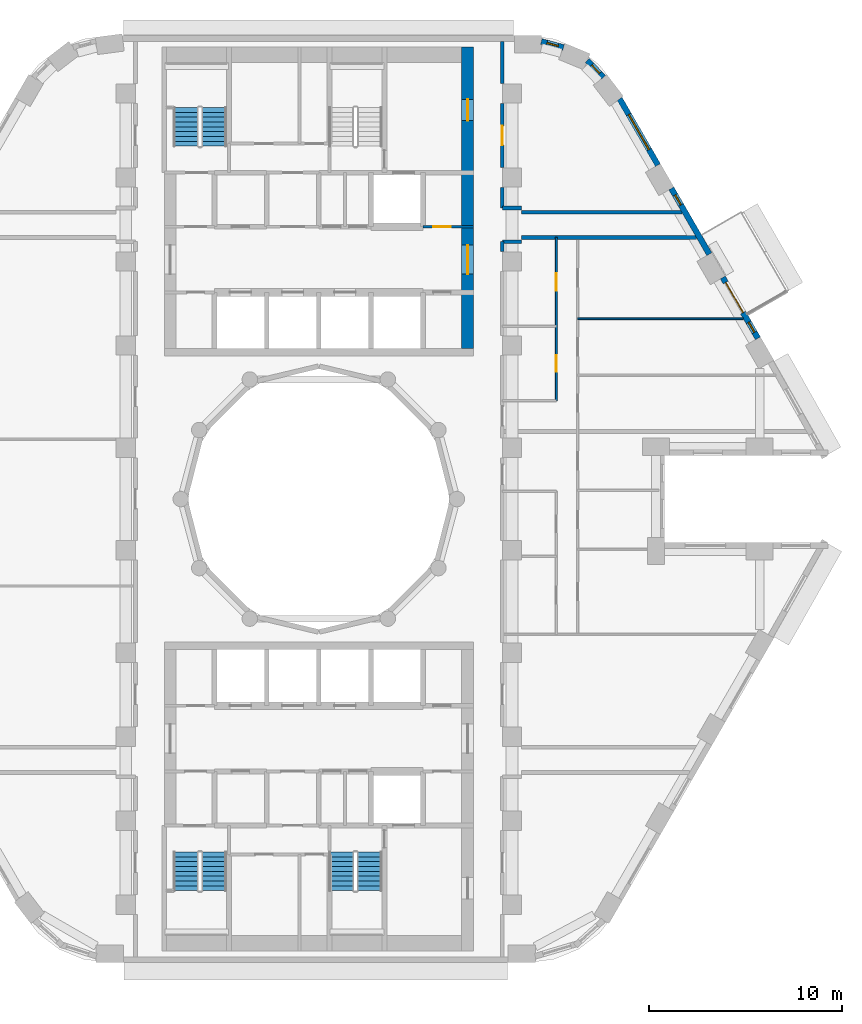
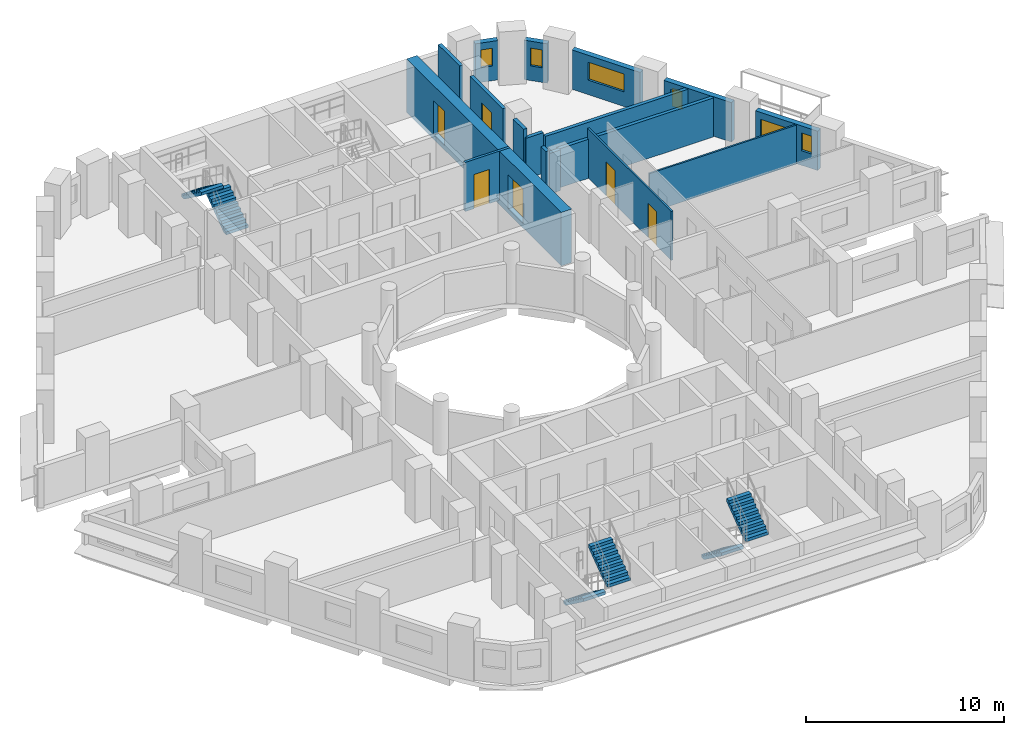
# One storey, part 8 of 13: 17 walls, 7 doors, 6 stair flights, 5 windows, 12 openings, 3 elements without a shape of their own.
"""IFC4 building model written with IfcOpenShell, lengths in metres."""

import ifcopenshell
import ifcopenshell.guid

model = None  # the IFC model being written
_history = None  # IfcOwnerHistory: only IFC2X3 demands one
_inside = {}  # id of a spatial element -> (the spatial element, [elements in it])
_under = {}  # id of a project, library or spatial element -> (it, [spatial elements below it])
_declared = {}  # id of a project -> (the project, [libraries it declares])
_typed = {}  # id of a type object -> (the type object, [elements of that type])
_made_of = {}  # id of a material, layer set ... -> (it, [elements and type objects made of it])


def new_model(schema):
    """Start an empty IFC model of exactly this schema.

    Asked for "IFC4X3", IfcOpenShell would pick the latest addendum, in which some entities
    have other attributes; the version numbers below select the first issue.
    IFC2X3 requires an IfcOwnerHistory on every rooted entity: one is made here for all.
    """
    global model, _history
    if schema == "IFC4X3":
        model = ifcopenshell.file(schema_version=(4, 3, 0, 0))
    else:
        model = ifcopenshell.file(schema=schema)
    _inside.clear()
    _under.clear()
    _declared.clear()
    _typed.clear()
    _made_of.clear()
    _history = None
    if model.schema == "IFC2X3":
        org = make("IfcOrganization", Name="unknown")
        user = make(
            "IfcPersonAndOrganization",
            ThePerson=make("IfcPerson", FamilyName="unknown"),
            TheOrganization=org,
        )
        app = make(
            "IfcApplication",
            ApplicationDeveloper=org,
            Version="unknown",
            ApplicationFullName="unknown",
            ApplicationIdentifier="unknown",
        )
        _history = make(
            "IfcOwnerHistory",
            OwningUser=user,
            OwningApplication=app,
            ChangeAction="ADDED",
            CreationDate=0,
        )
    return model


def make(cls, **values):
    """One entity of the class cls with the attributes given. An attribute that is None is left unset."""
    return model.create_entity(
        cls, **{name: value for name, value in values.items() if value is not None}
    )


def rooted(cls, **values):
    """An entity with a GlobalId (a new one), such as an element, a storey or a relation."""
    return make(cls, GlobalId=ifcopenshell.guid.new(), OwnerHistory=_history, **values)


def si_unit(unit_type, name, prefix=None):
    """IfcSIUnit, for example si_unit("LENGTHUNIT", "METRE", prefix="MILLI")."""
    return make("IfcSIUnit", UnitType=unit_type, Prefix=prefix, Name=name)


def assignment(units):
    """IfcUnitAssignment: the units of a project."""
    return None if units is None else make("IfcUnitAssignment", Units=units)


def point(xyz):
    """IfcCartesianPoint."""
    return None if xyz is None else make("IfcCartesianPoint", Coordinates=xyz)


def direction(xyz):
    """IfcDirection."""
    return None if xyz is None else make("IfcDirection", DirectionRatios=xyz)


def frame(location, z_axis=None, x_axis=None):
    """IfcAxis2Placement3D, a coordinate frame: its origin and axes. An axis left out is left unset."""
    return make(
        "IfcAxis2Placement3D",
        Location=point(location),
        Axis=direction(z_axis),
        RefDirection=direction(x_axis),
    )


def frame_2d(location, x_axis=None):
    """IfcAxis2Placement2D, a coordinate frame in the plane: its origin and x axis."""
    return make(
        "IfcAxis2Placement2D", Location=point(location), RefDirection=direction(x_axis)
    )


def origin():
    """The frame at (0, 0, 0) with its axes left unset."""
    return frame((0.0, 0.0, 0.0))


def place(relative_to, where):
    """IfcLocalPlacement: puts the frame where relative to a parent placement (None: the world)."""
    return make(
        "IfcLocalPlacement", PlacementRelTo=relative_to, RelativePlacement=where
    )


def context(
    kind, dimensions, precision=None, world=None, true_north=None, identifier=None
):
    """IfcGeometricRepresentationContext, for example the 3D "Model" context."""
    return make(
        "IfcGeometricRepresentationContext",
        ContextIdentifier=identifier,
        ContextType=kind,
        CoordinateSpaceDimension=dimensions,
        Precision=precision,
        WorldCoordinateSystem=world,
        TrueNorth=true_north,
    )


def subcontext(parent, identifier, kind, view, scale=None):
    """IfcGeometricRepresentationSubContext, for example "Body" below "Model"."""
    return make(
        "IfcGeometricRepresentationSubContext",
        ContextIdentifier=identifier,
        ContextType=kind,
        ParentContext=parent,
        TargetScale=scale,
        TargetView=view,
    )


def project(units=None, contexts=None):
    """IfcProject with its units and contexts."""
    return rooted(
        "IfcProject",
        Name="project",
        RepresentationContexts=contexts,
        UnitsInContext=assignment(units),
    )


def spatial(cls, under=None, at=None, **own):
    """A site, building, storey or space (cls), placed at a placement, below another one or the project."""
    s = rooted(cls, ObjectPlacement=at, **own)
    if under is not None:
        _under.setdefault(under.id(), (under, []))[1].append(s)
    return s


def polyline(points):
    """IfcPolyline through the points."""
    return make("IfcPolyline", Points=[point(p) for p in points])


def profile(cls, at=None, kind="AREA", **sizes):
    """A parametric profile (cls). Its sizes go by their IFC names, for example OverallWidth=200.0."""
    return make(cls, ProfileType=kind, Position=at, **sizes)


def rectangle(**sizes):
    """IfcRectangleProfileDef."""
    return profile("IfcRectangleProfileDef", **sizes)


def outline(outer, holes=None, kind="AREA"):
    """IfcArbitraryClosedProfileDef: a profile drawn as a closed curve; with holes, ...WithVoids."""
    if holes is None:
        return make("IfcArbitraryClosedProfileDef", ProfileType=kind, OuterCurve=outer)
    return make(
        "IfcArbitraryProfileDefWithVoids",
        ProfileType=kind,
        OuterCurve=outer,
        InnerCurves=holes,
    )


def extrude(swept, where, along, depth):
    """IfcExtrudedAreaSolid: the profile swept, set in the frame where, extruded along a direction by depth."""
    return make(
        "IfcExtrudedAreaSolid",
        SweptArea=swept,
        Position=where,
        ExtrudedDirection=direction(along),
        Depth=depth,
    )


def shape(context_of_items, identifier, shape_type, items):
    """IfcShapeRepresentation: the items that make up one representation, for example the "Body"."""
    return make(
        "IfcShapeRepresentation",
        ContextOfItems=context_of_items,
        RepresentationIdentifier=identifier,
        RepresentationType=shape_type,
        Items=items,
    )


def material(Name=None, Category=None):
    """IfcMaterial."""
    return make("IfcMaterial", Name=Name, Category=Category)


def layer(
    of_material, thickness, ventilated=None, Name=None, Category=None, Priority=None
):
    """IfcMaterialLayer: one layer of a wall or slab, of a material (None: an air gap)."""
    return make(
        "IfcMaterialLayer",
        Material=of_material,
        LayerThickness=thickness,
        IsVentilated=ventilated,
        Name=Name,
        Category=Category,
        Priority=Priority,
    )


def layer_set(layers, Name=None):
    """IfcMaterialLayerSet."""
    return make("IfcMaterialLayerSet", MaterialLayers=layers, LayerSetName=Name)


def made_of(thing, what):
    """Note that an element or type object is made of a material, layer set ...; save() writes the relation."""
    if what is not None:
        _made_of.setdefault(what.id(), (what, []))[1].append(thing)
    return thing


def type_object(cls, material=None, **own):
    """A type object (cls), such as IfcWallType, which elements share."""
    return made_of(rooted(cls, **own), material)


def element(
    cls,
    number,
    at=None,
    inside=None,
    cuts=None,
    type_object=None,
    material=None,
    context=None,
    identifier="Body",
    shape_type=None,
    held_by="IfcProductDefinitionShape",
    body=None,
    shapes=None,
    **own,
):
    """One element of the class cls, such as IfcWall. Its Tag is "e" and its number.

    at: its placement. inside: the storey or other place that contains it. cuts: it is an
    opening in that element (IfcRelVoidsElement). A single representation is given by context,
    identifier, shape_type and body (its items); several are given by shapes. held_by: the class
    of the entity that holds the representations. save() writes the other relations.
    """
    e = rooted(cls, Tag="e%d" % number, ObjectPlacement=at, **own)
    if body is not None:
        shapes = [shape(context, identifier, shape_type, body)]
    if shapes is not None:
        e.Representation = make(held_by, Representations=shapes)
    if inside is not None:
        _inside.setdefault(inside.id(), (inside, []))[1].append(e)
    if cuts is not None:
        rooted(
            "IfcRelVoidsElement", RelatingBuildingElement=cuts, RelatedOpeningElement=e
        )
    if type_object is not None:
        _typed.setdefault(type_object.id(), (type_object, []))[1].append(e)
    return made_of(e, material)


def fill(opening, filler):
    """IfcRelFillsElement: the door or window that sits in an opening."""
    return rooted(
        "IfcRelFillsElement",
        RelatingOpeningElement=opening,
        RelatedBuildingElement=filler,
    )


def aggregate(whole, parts):
    """IfcRelAggregates: a whole, such as a stair, and the parts it consists of."""
    return rooted("IfcRelAggregates", RelatingObject=whole, RelatedObjects=parts)


def save(model, path):
    """Write the relations noted so far, then the file.

    IfcRelAggregates (storeys below a building ...), IfcRelContainedInSpatialStructure (elements
    in a storey), IfcRelDefinesByType, IfcRelAssociatesMaterial and IfcRelDeclares: one each for
    every whole, place, type object, material and project.
    """
    for whole, parts in _under.values():
        aggregate(whole, parts)
    for where, things in _inside.values():
        rooted(
            "IfcRelContainedInSpatialStructure",
            RelatedElements=things,
            RelatingStructure=where,
        )
    for kind, things in _typed.values():
        rooted("IfcRelDefinesByType", RelatedObjects=things, RelatingType=kind)
    for what, things in _made_of.values():
        rooted("IfcRelAssociatesMaterial", RelatedObjects=things, RelatingMaterial=what)
    for by, libraries in _declared.values():
        rooted("IfcRelDeclares", RelatingContext=by, RelatedDefinitions=libraries)
    model.write(path)


model = new_model("IFC4")

# Units and contexts
model_context = context("Model", 3, precision=1e-05, world=origin(), true_north=direction((0.0, 1.0)))
body_context = subcontext(model_context, "Body", "Model", "MODEL_VIEW")
ifc_project = project(units=[si_unit("LENGTHUNIT", "METRE"), si_unit("AREAUNIT", "SQUARE_METRE"), si_unit("VOLUMEUNIT", "CUBIC_METRE"), si_unit("PLANEANGLEUNIT", "RADIAN"), si_unit("MASSUNIT", "GRAM", prefix="KILO")], contexts=[model_context])

# Site, building, storey
site_placement = place(None, origin())
site = spatial("IfcSite", under=ifc_project, at=site_placement, CompositionType="ELEMENT")
building_placement = place(site_placement, origin())
building = spatial("IfcBuilding", under=site, at=building_placement, Name="Nakaniwa Court", CompositionType="ELEMENT")
storey_placement = place(building_placement, frame((0.0, 0.0, 81.0)))
storey = spatial("IfcBuildingStorey", under=building, at=storey_placement, Name="L20", CompositionType="ELEMENT", Elevation=81.0)

# Walls
ifc_material_1 = material(Name="Acoustic double stud partition")
ifc_layer_1 = layer(ifc_material_1, 0.199951171875)
ifc_layer_set_1 = layer_set([ifc_layer_1], Name="Acoustic double stud partition")
wall_type_1 = type_object("IfcWallType", Name="Acoustic double stud partition 200", PredefinedType="PARTITIONING", material=ifc_layer_set_1)
wall_1_placement = place(storey_placement, frame((89.5, 92.81689453125, 0.0), z_axis=(0.0, 0.0, 1.0), x_axis=(0.0, 1.0, 0.0)))
element("IfcWall", 1, at=wall_1_placement, inside=storey, type_object=wall_type_1, Name="Partition PW-077", PredefinedType="PARTITIONING", context=body_context, shape_type="SweptSolid", body=[
    extrude(rectangle(XDim=0.510986328125, YDim=0.199951171875, at=frame_2d((0.25537109375, 0.0))), origin(), (0.0, 0.0, 1.0), 3.02490234375),
])
wall_2_placement = place(storey_placement, frame((89.5, 95.072021484375, 0.0), z_axis=(0.0, 0.0, 1.0), x_axis=(0.0, 1.0, 0.0)))
element("IfcWall", 2, at=wall_2_placement, inside=storey, type_object=wall_type_1, Name="Partition PW-078", PredefinedType="PARTITIONING", context=body_context, shape_type="SweptSolid", body=[
    extrude(rectangle(XDim=1.06103515625, YDim=0.199951171875, at=frame_2d((0.530517578125, 0.0))), origin(), (0.0, 0.0, 1.0), 3.02490234375),
])

# Wall, opening, door
wall_3_placement = place(storey_placement, frame((89.5, 100.48291015625, 0.0), z_axis=(0.0, 0.0, 1.0), x_axis=(0.0, -1.0, 0.0)))
wall_3 = element("IfcWall", 3, at=wall_3_placement, inside=storey, type_object=wall_type_1, Name="Partition PW-079", PredefinedType="PARTITIONING", context=body_context, shape_type="SweptSolid", body=[
    extrude(rectangle(XDim=3.31591796875, YDim=0.199951171875, at=frame_2d((1.657958984375, 0.0))), origin(), (0.0, 0.0, 1.0), 3.02490234375),
])
opening_1_placement = place(wall_3_placement, frame((1.157958984375, 0.0, 0.0)))
opening_1 = element("IfcOpeningElement", 4, at=opening_1_placement, cuts=wall_3, Name="Opening D-02-02", PredefinedType="OPENING", context=body_context, shape_type="SweptSolid", body=[
    extrude(rectangle(XDim=1.0, YDim=2.10009765625, at=frame_2d((0.5, 1.050048828125))), frame((0.0, 0.10986328125, 0.0), z_axis=(0.0, -1.0, 0.0), x_axis=(1.0, 0.0, 0.0)), (0.0, 0.0, 1.0), 0.219970703125),
])
ifc_material_2 = material(Name="Solid core timber door set, black veneer", Category="wood")
door_type_1 = type_object("IfcDoorType", Name="Internal door 1000", OperationType="NOTDEFINED", PredefinedType="DOOR", material=ifc_material_2)
door_1_placement = place(opening_1_placement, origin())
door_1 = element("IfcDoor", 5, at=door_1_placement, inside=storey, type_object=door_type_1, Name="Door D-02-02 L20-040", OperationType="SINGLE_SWING_LEFT", OverallHeight=2.10009765625, OverallWidth=1.0, PredefinedType="DOOR", context=body_context, shape_type="SweptSolid", body=[
    extrude(rectangle(XDim=1.0, YDim=2.10009765625, at=frame_2d((0.5, 1.050048828125))), frame((0.0, 0.02490234375, 0.0), z_axis=(0.0, -1.0, 0.0), x_axis=(1.0, 0.0, 0.0)), (0.0, 0.0, 1.0), 0.050048828125),
])
fill(opening_1, door_1)

# Walls
wall_4_placement = place(storey_placement, frame((89.5, 101.51708984375, 0.0), z_axis=(0.0, 0.0, 1.0), x_axis=(0.0, 1.0, 0.0)))
element("IfcWall", 6, at=wall_4_placement, inside=storey, type_object=wall_type_1, Name="Partition PW-080", PredefinedType="PARTITIONING", context=body_context, shape_type="SweptSolid", body=[
    extrude(rectangle(XDim=2.182861328125, YDim=0.199951171875, at=frame_2d((1.09130859375, 0.0))), origin(), (0.0, 0.0, 1.0), 3.02490234375),
])
wall_5_placement = place(storey_placement, frame((90.5, 93.550048828125, 0.0), z_axis=(0.0, 0.0, 1.0), x_axis=(1.0, 0.0, 0.0)))
element("IfcWall", 7, at=wall_5_placement, inside=storey, type_object=wall_type_1, Name="Partition PW-082", PredefinedType="PARTITIONING", context=body_context, shape_type="SweptSolid", body=[
    extrude(rectangle(XDim=9.043212890625, YDim=0.199951171875, at=frame_2d((4.521484375, 0.0))), origin(), (0.0, 0.0, 1.0), 2.405029296875),
])
for number, where, z_axis, x_axis, name in (
    (8, (89.5, 93.324951171875, 0.0), (0.0, 0.0, 1.0), (1.0, 0.0, 0.0), "Partition PW-084"),
    (9, (89.5, 95.074951171875, 0.0), (0.0, 0.0, 1.0), (1.0, 0.0, 0.0), "Partition PW-086"),
):
    element("IfcWall", number, at=place(storey_placement, frame(where, z_axis=z_axis, x_axis=x_axis)), inside=storey, type_object=wall_type_1, Name=name, PredefinedType="PARTITIONING", context=body_context, shape_type="SweptSolid", body=[
        extrude(rectangle(XDim=1.0, YDim=0.199951171875, at=frame_2d((0.5, 0.0))), origin(), (0.0, 0.0, 1.0), 2.5048828125),
    ])
wall_6_placement = place(storey_placement, frame((90.5, 94.85009765625, 0.0), z_axis=(0.0, 0.0, 1.0), x_axis=(1.0, 0.0, 0.0)))
element("IfcWall", 10, at=wall_6_placement, inside=storey, type_object=wall_type_1, Name="Partition PW-088", PredefinedType="PARTITIONING", context=body_context, shape_type="SweptSolid", body=[
    extrude(rectangle(XDim=8.292724609375, YDim=0.199951171875, at=frame_2d((4.146484375, 0.0))), origin(), (0.0, 0.0, 1.0), 2.405029296875),
])

# Wall, openings, door, window
ifc_material_3 = material(Name="Charcoal ceramic cladding")
ifc_layer_2 = layer(ifc_material_3, 0.02, Name="Ceramic cladding")
ifc_material_4 = material(Name="Ventilated air cavity")
ifc_layer_3 = layer(ifc_material_4, 0.04, ventilated=True, Name="Ventilated cavity")
ifc_material_5 = material(Name="Mineral wool insulation")
ifc_layer_4 = layer(ifc_material_5, 0.1, Name="Insulation")
ifc_material_6 = material(Name="Cement bonded sheathing board")
ifc_layer_5 = layer(ifc_material_6, 0.012, Name="Sheathing")
ifc_material_7 = material(Name="Cold-formed galvanised stud frame with mineral wool infill")
ifc_layer_6 = layer(ifc_material_7, 0.1, Name="Stud frame")
ifc_material_8 = material(Name="Fire-rated gypsum plasterboard lining")
ifc_layer_7 = layer(ifc_material_8, 0.028, Name="Lining")
ifc_layer_set_2 = layer_set([ifc_layer_2, ifc_layer_3, ifc_layer_4, ifc_layer_5, ifc_layer_6, ifc_layer_7], Name="Charcoal ceramic faced external wall system")
wall_type_2 = type_object("IfcWallType", Name="Black ceramic faced external wall 300", PredefinedType="SOLIDWALL", material=ifc_layer_set_2)
wall_7_placement = place(storey_placement, frame((102.734619140625, 88.322509765625, 0.0), z_axis=(0.0, 0.0, 1.0), x_axis=(-0.500009139881, 0.866020126807, 0.0)))
wall_7 = element("IfcWall", 11, at=wall_7_placement, inside=storey, type_object=wall_type_2, Name="L20 external wall 03", PredefinedType="SOLIDWALL", context=body_context, shape_type="SweptSolid", body=[
    extrude(rectangle(XDim=3.63671875, YDim=0.300048828125, at=frame_2d((1.818359375, 0.0))), origin(), (0.0, 0.0, 1.0), 2.425048828125),
])
opening_2_placement = place(wall_7_placement, frame((1.540283203125, 0.0, 0.0)))
opening_2 = element("IfcOpeningElement", 12, at=opening_2_placement, cuts=wall_7, Name="Opening XD12.01", PredefinedType="OPENING", context=body_context, shape_type="SweptSolid", body=[
    extrude(rectangle(XDim=1.800048828125, YDim=2.0, at=frame_2d((0.89990234375, 1.0))), frame((0.0, 0.159912109375, 0.0), z_axis=(0.0, -1.0, 0.0), x_axis=(1.0, 0.0, 0.0)), (0.0, 0.0, 1.0), 0.320068359375),
])
opening_3_placement = place(wall_7_placement, frame((0.35888671875, 0.0, 0.89990234375)))
opening_3 = element("IfcOpeningElement", 13, at=opening_3_placement, cuts=wall_7, Name="Opening W8.05", PredefinedType="OPENING", context=body_context, shape_type="SweptSolid", body=[
    extrude(rectangle(XDim=0.60009765625, YDim=1.10009765625, at=frame_2d((0.300048828125, 0.550048828125))), frame((0.0, 0.159912109375, 0.0), z_axis=(0.0, -1.0, 0.0), x_axis=(1.0, 0.0, 0.0)), (0.0, 0.0, 1.0), 0.320068359375),
])
ifc_material_9 = material(Name="Black powder-coated aluminium frame with dark laminated glass", Category="aluminium")
door_type_2 = type_object("IfcDoorType", Name="Balcony sliding door 1800x2000", OperationType="SLIDING_TO_LEFT", PredefinedType="DOOR", material=ifc_material_9)
door_2_placement = place(opening_2_placement, origin())
door_2 = element("IfcDoor", 14, at=door_2_placement, inside=storey, type_object=door_type_2, Name="L20 balcony sliding door 01", OperationType="SLIDING_TO_LEFT", OverallHeight=2.0, OverallWidth=1.800048828125, PredefinedType="DOOR", context=body_context, shape_type="SweptSolid", body=[
    extrude(rectangle(XDim=1.800048828125, YDim=2.0, at=frame_2d((0.89990234375, 1.0))), frame((0.0, 0.02490234375, 0.0), z_axis=(0.0, -1.0, 0.0), x_axis=(1.0, 0.0, 0.0)), (0.0, 0.0, 1.0), 0.050048828125),
])
fill(opening_2, door_2)
ifc_material_10 = material(Name="Black anodised aluminium frame with dark low-E laminated double glazing", Category="aluminium")
window_type_1 = type_object("IfcWindowType", Name="Dark glass window 600x1100 sill 900", PartitioningType="SINGLE_PANEL", PredefinedType="WINDOW", material=ifc_material_10)
window_1_placement = place(opening_3_placement, origin())
window_1 = element("IfcWindow", 15, at=window_1_placement, inside=storey, type_object=window_type_1, Name="L20 bedroom window 03-0", OverallHeight=1.10009765625, OverallWidth=0.60009765625, PartitioningType="SINGLE_PANEL", PredefinedType="WINDOW", context=body_context, shape_type="SweptSolid", body=[
    extrude(rectangle(XDim=0.60009765625, YDim=1.10009765625, at=frame_2d((0.300048828125, 0.550048828125))), frame((0.0, 0.030029296875, 0.0), z_axis=(0.0, -1.0, 0.0), x_axis=(1.0, 0.0, 0.0)), (0.0, 0.0, 1.0), 0.06005859375),
])
fill(opening_3, window_1)

# Wall, opening, window
wall_8_placement = place(storey_placement, frame((100.22021484375, 92.677490234375, 0.0), z_axis=(0.0, 0.0, 1.0), x_axis=(-0.499957037901, 0.866050206543, 0.0)))
wall_8 = element("IfcWall", 16, at=wall_8_placement, inside=storey, type_object=wall_type_2, Name="L20 external wall 04", PredefinedType="SOLIDWALL", context=body_context, shape_type="SweptSolid", body=[
    extrude(rectangle(XDim=3.933837890625, YDim=0.300048828125, at=frame_2d((1.966796875, 0.0))), origin(), (0.0, 0.0, 1.0), 2.425048828125),
])
opening_4_placement = place(wall_8_placement, frame((2.9453125, 0.0, 0.89990234375)))
opening_4 = element("IfcOpeningElement", 17, at=opening_4_placement, cuts=wall_8, Name="Opening W8.06", PredefinedType="OPENING", context=body_context, shape_type="SweptSolid", body=[
    extrude(rectangle(XDim=0.60009765625, YDim=1.10009765625, at=frame_2d((0.300048828125, 0.550048828125))), frame((0.0, 0.159912109375, 0.0), z_axis=(0.0, -1.0, 0.0), x_axis=(1.0, 0.0, 0.0)), (0.0, 0.0, 1.0), 0.320068359375),
])
window_2_placement = place(opening_4_placement, origin())
window_2 = element("IfcWindow", 18, at=window_2_placement, inside=storey, type_object=window_type_1, Name="L20 habitable room window 04-2", OverallHeight=1.10009765625, OverallWidth=0.60009765625, PartitioningType="SINGLE_PANEL", PredefinedType="WINDOW", context=body_context, shape_type="SweptSolid", body=[
    extrude(rectangle(XDim=0.60009765625, YDim=1.10009765625, at=frame_2d((0.300048828125, 0.550048828125))), frame((0.0, 0.030029296875, 0.0), z_axis=(0.0, -1.0, 0.0), x_axis=(1.0, 0.0, 0.0)), (0.0, 0.0, 1.0), 0.06005859375),
])
fill(opening_4, window_2)

wall_9_placement = place(storey_placement, frame((97.557373046875, 97.289794921875, 0.0), z_axis=(0.0, 0.0, 1.0), x_axis=(-0.500043828347, 0.866000097998, 0.0)))
wall_9 = element("IfcWall", 19, at=wall_9_placement, inside=storey, type_object=wall_type_2, Name="L20 external wall 05", PredefinedType="SOLIDWALL", context=body_context, shape_type="SweptSolid", body=[
    extrude(rectangle(XDim=3.967529296875, YDim=0.300048828125, at=frame_2d((1.98388671875, 0.0))), origin(), (0.0, 0.0, 1.0), 2.425048828125),
])
opening_5_placement = place(wall_9_placement, frame((0.92236328125, 0.0, 0.89990234375)))
opening_5 = element("IfcOpeningElement", 20, at=opening_5_placement, cuts=wall_9, Name="Opening W7.07", PredefinedType="OPENING", context=body_context, shape_type="SweptSolid", body=[
    extrude(rectangle(XDim=2.10009765625, YDim=1.10009765625, at=frame_2d((1.050048828125, 0.550048828125))), frame((0.0, 0.159912109375, 0.0), z_axis=(0.0, -1.0, 0.0), x_axis=(1.0, 0.0, 0.0)), (0.0, 0.0, 1.0), 0.320068359375),
])
window_type_2 = type_object("IfcWindowType", Name="Dark glass window 2100x1100 sill 900", PartitioningType="SINGLE_PANEL", PredefinedType="WINDOW", material=ifc_material_10)
window_3_placement = place(opening_5_placement, origin())
window_3 = element("IfcWindow", 21, at=window_3_placement, inside=storey, type_object=window_type_2, Name="L20 habitable room window 05-0", OverallHeight=1.10009765625, OverallWidth=2.10009765625, PartitioningType="SINGLE_PANEL", PredefinedType="WINDOW", context=body_context, shape_type="SweptSolid", body=[
    extrude(rectangle(XDim=2.10009765625, YDim=1.10009765625, at=frame_2d((1.050048828125, 0.550048828125))), frame((0.0, 0.030029296875, 0.0), z_axis=(0.0, -1.0, 0.0), x_axis=(1.0, 0.0, 0.0)), (0.0, 0.0, 1.0), 0.06005859375),
])
fill(opening_5, window_3)

wall_10_placement = place(storey_placement, frame((94.738037109375, 101.839111328125, 0.0), z_axis=(0.0, 0.0, 1.0), x_axis=(-0.697032216592, 0.717039809936, 0.0)))
wall_10 = element("IfcWall", 22, at=wall_10_placement, inside=storey, type_object=wall_type_2, Name="L20 external wall 06", PredefinedType="SOLIDWALL", context=body_context, shape_type="SweptSolid", body=[
    extrude(rectangle(XDim=1.2080078125, YDim=0.300048828125, at=frame_2d((0.60400390625, 0.0))), origin(), (0.0, 0.0, 1.0), 2.425048828125),
])
opening_6_placement = place(wall_10_placement, frame((0.279296875, 0.0, 0.89990234375)))
opening_6 = element("IfcOpeningElement", 23, at=opening_6_placement, cuts=wall_10, Name="Opening W8.08", PredefinedType="OPENING", context=body_context, shape_type="SweptSolid", body=[
    extrude(rectangle(XDim=0.60009765625, YDim=1.10009765625, at=frame_2d((0.300048828125, 0.550048828125))), frame((0.0, 0.159912109375, 0.0), z_axis=(0.0, -1.0, 0.0), x_axis=(1.0, 0.0, 0.0)), (0.0, 0.0, 1.0), 0.320068359375),
])
window_4_placement = place(opening_6_placement, origin())
window_4 = element("IfcWindow", 24, at=window_4_placement, inside=storey, type_object=window_type_1, Name="L20 habitable room window 06-0", OverallHeight=1.10009765625, OverallWidth=0.60009765625, PartitioningType="SINGLE_PANEL", PredefinedType="WINDOW", context=body_context, shape_type="SweptSolid", body=[
    extrude(rectangle(XDim=0.60009765625, YDim=1.10009765625, at=frame_2d((0.300048828125, 0.550048828125))), frame((0.0, 0.030029296875, 0.0), z_axis=(0.0, -1.0, 0.0), x_axis=(1.0, 0.0, 0.0)), (0.0, 0.0, 1.0), 0.06005859375),
])
fill(opening_6, window_4)

wall_11_placement = place(storey_placement, frame((92.669189453125, 103.3818359375, 0.0), z_axis=(0.0, 0.0, 1.0), x_axis=(-0.965278131029, 0.261224290136, 0.0)))
wall_11 = element("IfcWall", 25, at=wall_11_placement, inside=storey, type_object=wall_type_2, Name="L20 external wall 07", PredefinedType="SOLIDWALL", context=body_context, shape_type="SweptSolid", body=[
    extrude(rectangle(XDim=1.189697265625, YDim=0.300048828125, at=frame_2d((0.5947265625, 0.0))), origin(), (0.0, 0.0, 1.0), 2.425048828125),
])
opening_7_placement = place(wall_11_placement, frame((0.28466796875, 0.0, 0.89990234375)))
opening_7 = element("IfcOpeningElement", 26, at=opening_7_placement, cuts=wall_11, Name="Opening W8.09", PredefinedType="OPENING", context=body_context, shape_type="SweptSolid", body=[
    extrude(rectangle(XDim=0.60009765625, YDim=1.10009765625, at=frame_2d((0.300048828125, 0.550048828125))), frame((0.0, 0.159912109375, 0.0), z_axis=(0.0, -1.0, 0.0), x_axis=(1.0, 0.0, 0.0)), (0.0, 0.0, 1.0), 0.320068359375),
])
window_5_placement = place(opening_7_placement, origin())
window_5 = element("IfcWindow", 27, at=window_5_placement, inside=storey, type_object=window_type_1, Name="L20 habitable room window 07-0", OverallHeight=1.10009765625, OverallWidth=0.60009765625, PartitioningType="SINGLE_PANEL", PredefinedType="WINDOW", context=body_context, shape_type="SweptSolid", body=[
    extrude(rectangle(XDim=0.60009765625, YDim=1.10009765625, at=frame_2d((0.300048828125, 0.550048828125))), frame((0.0, 0.030029296875, 0.0), z_axis=(0.0, -1.0, 0.0), x_axis=(1.0, 0.0, 0.0)), (0.0, 0.0, 1.0), 0.06005859375),
])
fill(opening_7, window_5)

# Wall, opening, door
ifc_material_11 = material(Name="Blockwork partition", Category="masonry")
ifc_layer_8 = layer(ifc_material_11, 0.14990234375)
ifc_layer_set_3 = layer_set([ifc_layer_8], Name="Blockwork partition")
wall_type_3 = type_object("IfcWallType", Name="Blockwork partition 150", PredefinedType="PARTITIONING", material=ifc_layer_set_3)
wall_12_placement = place(storey_placement, frame((85.39697265625, 94.10009765625, 0.0), z_axis=(0.0, 0.0, 1.0), x_axis=(1.0, 0.0, 0.0)))
wall_12 = element("IfcWall", 28, at=wall_12_placement, inside=storey, type_object=wall_type_3, Name="Partition PW-018", PredefinedType="PARTITIONING", context=body_context, shape_type="SweptSolid", body=[
    extrude(rectangle(XDim=2.60302734375, YDim=0.14990234375, at=frame_2d((1.301513671875, 0.0))), origin(), (0.0, 0.0, 1.0), 3.02490234375),
])
opening_8_placement = place(wall_12_placement, frame((0.528076171875, 0.0, 0.0)))
opening_8 = element("IfcOpeningElement", 29, at=opening_8_placement, cuts=wall_12, Name="Opening D-05-06", PredefinedType="OPENING", context=body_context, shape_type="SweptSolid", body=[
    extrude(rectangle(XDim=0.89990234375, YDim=2.10009765625, at=frame_2d((0.449951171875, 1.050048828125))), frame((0.0, 0.0849609375, 0.0), z_axis=(0.0, -1.0, 0.0), x_axis=(1.0, 0.0, 0.0)), (0.0, 0.0, 1.0), 0.169921875),
])
ifc_material_12 = material(Name="Fire rated steel door set", Category="steel")
door_type_3 = type_object("IfcDoorType", Name="Service room door 900", OperationType="NOTDEFINED", PredefinedType="DOOR", material=ifc_material_12)
door_3_placement = place(opening_8_placement, origin())
door_3 = element("IfcDoor", 30, at=door_3_placement, inside=storey, type_object=door_type_3, Name="Door D-05-06 L20-008", OperationType="SINGLE_SWING_LEFT", OverallHeight=2.10009765625, OverallWidth=0.89990234375, PredefinedType="DOOR", context=body_context, shape_type="SweptSolid", body=[
    extrude(rectangle(XDim=0.89990234375, YDim=2.10009765625, at=frame_2d((0.449951171875, 1.050048828125))), frame((0.0, 0.02490234375, 0.0), z_axis=(0.0, -1.0, 0.0), x_axis=(1.0, 0.0, 0.0)), (0.0, 0.0, 1.0), 0.050048828125),
])
fill(opening_8, door_3)

# Wall, openings, doors
ifc_material_13 = material(Name="Concrete C80/100", Category="concrete")
ifc_layer_9 = layer(ifc_material_13, 0.60009765625)
ifc_layer_set_4 = layer_set([ifc_layer_9], Name="Concrete C80/100")
wall_type_4 = type_object("IfcWallType", Name="Concrete core side wall 600 C80", PredefinedType="SHEAR", material=ifc_layer_set_4)
wall_13_placement = place(storey_placement, frame((87.699951171875, 103.39990234375, -0.27490234375), z_axis=(0.0, 0.0, 1.0), x_axis=(0.0, -1.0, 0.0)))
wall_13 = element("IfcWall", 31, at=wall_13_placement, inside=storey, type_object=wall_type_4, Name="Core wall SW-15", PredefinedType="SHEAR", context=body_context, shape_type="SweptSolid", body=[
    extrude(rectangle(XDim=15.599853515625, YDim=0.60009765625, at=frame_2d((7.7998046875, 0.0))), origin(), (0.0, 0.0, 1.0), 3.2998046875),
])
opening_9_placement = place(wall_13_placement, frame((10.25, 0.0, 0.27490234375)))
opening_9 = element("IfcOpeningElement", 32, at=opening_9_placement, cuts=wall_13, Name="Opening D-07-01", PredefinedType="OPENING", context=body_context, shape_type="SweptSolid", body=[
    extrude(rectangle(XDim=1.5, YDim=2.10009765625, at=frame_2d((0.75, 1.050048828125))), frame((0.0, 0.31005859375, 0.0), z_axis=(0.0, -1.0, 0.0), x_axis=(1.0, 0.0, 0.0)), (0.0, 0.0, 1.0), 0.6201171875),
])
opening_10_placement = place(wall_13_placement, frame((2.699951171875, 0.0, 0.27490234375)))
opening_10 = element("IfcOpeningElement", 33, at=opening_10_placement, cuts=wall_13, Name="Opening D-10-01", PredefinedType="OPENING", context=body_context, shape_type="SweptSolid", body=[
    extrude(rectangle(XDim=1.10009765625, YDim=2.10009765625, at=frame_2d((0.550048828125, 1.050048828125))), frame((0.0, 0.31005859375, 0.0), z_axis=(0.0, -1.0, 0.0), x_axis=(1.0, 0.0, 0.0)), (0.0, 0.0, 1.0), 0.6201171875),
])
door_type_4 = type_object("IfcDoorType", Name="Firefighting lobby door 1100", OperationType="NOTDEFINED", PredefinedType="DOOR", material=ifc_material_12)
door_4_placement = place(opening_10_placement, origin())
door_4 = element("IfcDoor", 34, at=door_4_placement, inside=storey, type_object=door_type_4, Name="Door D-10-01 L20-049", OperationType="SINGLE_SWING_RIGHT", OverallHeight=2.10009765625, OverallWidth=1.10009765625, PredefinedType="DOOR", context=body_context, shape_type="SweptSolid", body=[
    extrude(rectangle(XDim=1.10009765625, YDim=2.10009765625, at=frame_2d((0.550048828125, 1.050048828125))), frame((0.0, 0.02490234375, 0.0), z_axis=(0.0, -1.0, 0.0), x_axis=(1.0, 0.0, 0.0)), (0.0, 0.0, 1.0), 0.050048828125),
])
fill(opening_10, door_4)
ifc_material_14 = material(Name="Glazed fire rated steel double door set", Category="steel")
door_type_5 = type_object("IfcDoorType", Name="Lobby double door 1500", OperationType="NOTDEFINED", PredefinedType="DOOR", material=ifc_material_14)
door_5_placement = place(opening_9_placement, origin())
door_5 = element("IfcDoor", 35, at=door_5_placement, inside=storey, type_object=door_type_5, Name="Door D-07-01 L20-047", OperationType="DOUBLE_DOOR_SINGLE_SWING", OverallHeight=2.10009765625, OverallWidth=1.5, PredefinedType="DOOR", context=body_context, shape_type="SweptSolid", body=[
    extrude(rectangle(XDim=1.5, YDim=2.10009765625, at=frame_2d((0.75, 1.050048828125))), frame((0.0, 0.02490234375, 0.0), z_axis=(0.0, -1.0, 0.0), x_axis=(1.0, 0.0, 0.0)), (0.0, 0.0, 1.0), 0.050048828125),
])
fill(opening_9, door_5)

ifc_material_15 = material(Name="Single stud plasterboard partition")
ifc_layer_10 = layer(ifc_material_15, 0.10009765625)
ifc_layer_set_5 = layer_set([ifc_layer_10], Name="Single stud plasterboard partition")
wall_type_5 = type_object("IfcWallType", Name="Single stud plasterboard partition 100", PredefinedType="PARTITIONING", material=ifc_layer_set_5)
wall_14_placement = place(storey_placement, frame((92.300048828125, 85.10009765625, 0.0), z_axis=(0.0, 0.0, 1.0), x_axis=(0.0, 1.0, 0.0)))
wall_14 = element("IfcWall", 36, at=wall_14_placement, inside=storey, type_object=wall_type_5, Name="Partition PW-110", PredefinedType="PARTITIONING", context=body_context, shape_type="SweptSolid", body=[
    extrude(rectangle(XDim=8.449951171875, YDim=0.10009765625, at=frame_2d((4.22509765625, 0.0))), origin(), (0.0, 0.0, 1.0), 3.02490234375),
])
opening_11_placement = place(wall_14_placement, frame((1.4951171875, 0.0, 0.0)))
opening_11 = element("IfcOpeningElement", 37, at=opening_11_placement, cuts=wall_14, Name="Opening D-03-02", PredefinedType="OPENING", context=body_context, shape_type="SweptSolid", body=[
    extrude(rectangle(XDim=0.85009765625, YDim=2.10009765625, at=frame_2d((0.425048828125, 1.050048828125))), frame((0.0, 0.06005859375, 0.0), z_axis=(0.0, -1.0, 0.0), x_axis=(1.0, 0.0, 0.0)), (0.0, 0.0, 1.0), 0.1201171875),
])
opening_12_placement = place(wall_14_placement, frame((5.695068359375, 0.0, 0.0)))
opening_12 = element("IfcOpeningElement", 38, at=opening_12_placement, cuts=wall_14, Name="Opening D-33-05", PredefinedType="OPENING", context=body_context, shape_type="SweptSolid", body=[
    extrude(rectangle(XDim=0.89990234375, YDim=2.10009765625, at=frame_2d((0.449951171875, 1.050048828125))), frame((0.0, 0.06005859375, 0.0), z_axis=(0.0, -1.0, 0.0), x_axis=(1.0, 0.0, 0.0)), (0.0, 0.0, 1.0), 0.1201171875),
])
ifc_material_16 = material(Name="Moisture sealed timber door set", Category="wood")
door_type_6 = type_object("IfcDoorType", Name="Bathroom door 850", OperationType="NOTDEFINED", PredefinedType="DOOR", material=ifc_material_16)
door_6_placement = place(opening_11_placement, origin())
door_6 = element("IfcDoor", 39, at=door_6_placement, inside=storey, type_object=door_type_6, Name="Door D-03-02 L20-035", OperationType="SINGLE_SWING_RIGHT", OverallHeight=2.10009765625, OverallWidth=0.85009765625, PredefinedType="DOOR", context=body_context, shape_type="SweptSolid", body=[
    extrude(rectangle(XDim=0.85009765625, YDim=2.10009765625, at=frame_2d((0.425048828125, 1.050048828125))), frame((0.0, 0.02490234375, 0.0), z_axis=(0.0, -1.0, 0.0), x_axis=(1.0, 0.0, 0.0)), (0.0, 0.0, 1.0), 0.050048828125),
])
fill(opening_11, door_6)
door_type_7 = type_object("IfcDoorType", Name="Internal door 900", OperationType="NOTDEFINED", PredefinedType="DOOR", material=ifc_material_2)
door_7_placement = place(opening_12_placement, origin())
door_7 = element("IfcDoor", 40, at=door_7_placement, inside=storey, type_object=door_type_7, Name="Door D-33-05 L20-036", OperationType="SINGLE_SWING_LEFT", OverallHeight=2.10009765625, OverallWidth=0.89990234375, PredefinedType="DOOR", context=body_context, shape_type="SweptSolid", body=[
    extrude(rectangle(XDim=0.89990234375, YDim=2.10009765625, at=frame_2d((0.449951171875, 1.050048828125))), frame((0.0, 0.02490234375, 0.0), z_axis=(0.0, -1.0, 0.0), x_axis=(1.0, 0.0, 0.0)), (0.0, 0.0, 1.0), 0.050048828125),
])
fill(opening_12, door_7)

# Wall
wall_15_placement = place(storey_placement, frame((93.39990234375, 89.3349609375, 0.0), z_axis=(0.0, 0.0, 1.0), x_axis=(1.0, 0.0, 0.0)))
element("IfcWall", 41, at=wall_15_placement, inside=storey, type_object=wall_type_5, Name="Partition PW-119", PredefinedType="PARTITIONING", context=body_context, shape_type="SweptSolid", body=[
    extrude(rectangle(XDim=8.57666015625, YDim=0.10009765625, at=frame_2d((4.288330078125, 0.0))), origin(), (0.0, 0.0, 1.0), 2.405029296875),
])

# Stair, stair flights
stair_type = type_object("IfcStairType", Name="Dog leg stair 1300 wide 18 risers", PredefinedType="HALF_TURN_STAIR", material=ifc_material_13)
stair_1_placement = place(storey_placement, origin())
stair_1 = element("IfcStair", 42, at=stair_1_placement, inside=storey, type_object=stair_type, Name="L20 Stair ST1", PredefinedType="HALF_TURN_STAIR")
stair_flight_type = type_object("IfcStairFlightType", Name="Stair flight 1300 wide 9 risers", PredefinedType="STRAIGHT", material=ifc_material_13)
stair_flight_1_placement = place(storey_placement, frame((74.574951171875, 98.27490234375, 0.0), z_axis=(0.0, 0.0, 1.0), x_axis=(0.0, 1.0, 0.0)))
stair_flight_1 = element("IfcStairFlight", 43, at=stair_flight_1_placement, type_object=stair_flight_type, Name="ST1 flight 1", NumberOfRisers=9, NumberOfTreads=8, PredefinedType="STRAIGHT", RiserHeight=0.183333333, TreadLength=0.25, context=body_context, shape_type="SweptSolid", body=[
    extrude(outline(polyline([(0.0, 0.0), (0.0, 0.026123046875), (0.0, 0.052490234375), (0.0, 0.07861328125), (0.0, 0.104736328125), (0.0, 0.130859375), (0.0, 0.1572265625), (0.0, 0.183349609375), (0.25, 0.183349609375), (0.25, 0.36669921875), (0.5, 0.36669921875), (0.5, 0.550048828125), (0.75, 0.550048828125), (0.75, 0.7333984375), (1.0, 0.7333984375), (1.0, 0.916748046875), (1.25, 0.916748046875), (1.25, 1.10009765625), (1.5, 1.10009765625), (1.5, 1.283447265625), (1.75, 1.283447265625), (1.75, 1.466552734375), (2.0, 1.466552734375), (2.0, 1.64990234375), (2.0, 1.59716796875), (2.0, 1.54443359375), (2.0, 1.49169921875), (2.0, 1.43896484375), (2.0, 1.38623046875), (2.0, 1.33349609375), (2.0, 1.28076171875), (0.25341796875, 0.0), (0.0, 0.0)])), frame((0.0, 0.64990234375, 0.0), z_axis=(0.0, -1.0, 0.0), x_axis=(1.0, 0.0, 0.0)), (0.0, 0.0, 1.0), 1.300048828125),
])
stair_flight_2_placement = place(storey_placement, frame((73.125, 100.27490234375, 1.64990234375), z_axis=(0.0, 0.0, 1.0), x_axis=(0.0, -1.0, 0.0)))
stair_flight_2 = element("IfcStairFlight", 44, at=stair_flight_2_placement, type_object=stair_flight_type, Name="ST1 flight 2", NumberOfRisers=9, NumberOfTreads=8, PredefinedType="STRAIGHT", RiserHeight=0.183333333, TreadLength=0.25, context=body_context, shape_type="SweptSolid", body=[
    extrude(outline(polyline([(0.0, 0.0), (0.0, 0.026123046875), (0.0, 0.052490234375), (0.0, 0.07861328125), (0.0, 0.104736328125), (0.0, 0.130859375), (0.0, 0.1572265625), (0.0, 0.183349609375), (0.25, 0.183349609375), (0.25, 0.36669921875), (0.5, 0.36669921875), (0.5, 0.550048828125), (0.75, 0.550048828125), (0.75, 0.7333984375), (1.0, 0.7333984375), (1.0, 0.916748046875), (1.25, 0.916748046875), (1.25, 1.10009765625), (1.5, 1.10009765625), (1.5, 1.283447265625), (1.75, 1.283447265625), (1.75, 1.466552734375), (2.0, 1.466552734375), (2.0, 1.64990234375), (2.0, 1.59716796875), (2.0, 1.54443359375), (2.0, 1.49169921875), (2.0, 1.43896484375), (2.0, 1.38623046875), (2.0, 1.33349609375), (2.0, 1.28076171875), (0.25341796875, 0.0), (0.0, 0.0)])), frame((0.0, 0.64990234375, 0.0), z_axis=(0.0, -1.0, 0.0), x_axis=(1.0, 0.0, 0.0)), (0.0, 0.0, 1.0), 1.300048828125),
])
aggregate(stair_1, [stair_flight_1, stair_flight_2])

stair_2_placement = place(storey_placement, origin())
stair_2 = element("IfcStair", 45, at=stair_2_placement, inside=storey, type_object=stair_type, Name="L20 Stair ST3", PredefinedType="HALF_TURN_STAIR")
stair_flight_3_placement = place(storey_placement, frame((73.125, 61.72509765625, 0.0), z_axis=(0.0, 0.0, 1.0), x_axis=(0.0, -1.0, 0.0)))
stair_flight_3 = element("IfcStairFlight", 46, at=stair_flight_3_placement, type_object=stair_flight_type, Name="ST3 flight 1", NumberOfRisers=9, NumberOfTreads=8, PredefinedType="STRAIGHT", RiserHeight=0.183333333, TreadLength=0.25, context=body_context, shape_type="SweptSolid", body=[
    extrude(outline(polyline([(0.0, 0.0), (0.0, 0.026123046875), (0.0, 0.052490234375), (0.0, 0.07861328125), (0.0, 0.104736328125), (0.0, 0.130859375), (0.0, 0.1572265625), (0.0, 0.183349609375), (0.25, 0.183349609375), (0.25, 0.36669921875), (0.5, 0.36669921875), (0.5, 0.550048828125), (0.75, 0.550048828125), (0.75, 0.7333984375), (1.0, 0.7333984375), (1.0, 0.916748046875), (1.25, 0.916748046875), (1.25, 1.10009765625), (1.5, 1.10009765625), (1.5, 1.283447265625), (1.75, 1.283447265625), (1.75, 1.466552734375), (2.0, 1.466552734375), (2.0, 1.64990234375), (2.0, 1.59716796875), (2.0, 1.54443359375), (2.0, 1.49169921875), (2.0, 1.43896484375), (2.0, 1.38623046875), (2.0, 1.33349609375), (2.0, 1.28076171875), (0.25341796875, 0.0), (0.0, 0.0)])), frame((0.0, 0.64990234375, 0.0), z_axis=(0.0, -1.0, 0.0), x_axis=(1.0, 0.0, 0.0)), (0.0, 0.0, 1.0), 1.300048828125),
])
stair_flight_4_placement = place(storey_placement, frame((74.574951171875, 59.72509765625, 1.64990234375), z_axis=(0.0, 0.0, 1.0), x_axis=(0.0, 1.0, 0.0)))
stair_flight_4 = element("IfcStairFlight", 47, at=stair_flight_4_placement, type_object=stair_flight_type, Name="ST3 flight 2", NumberOfRisers=9, NumberOfTreads=8, PredefinedType="STRAIGHT", RiserHeight=0.183333333, TreadLength=0.25, context=body_context, shape_type="SweptSolid", body=[
    extrude(outline(polyline([(0.0, 0.0), (0.0, 0.026123046875), (0.0, 0.052490234375), (0.0, 0.07861328125), (0.0, 0.104736328125), (0.0, 0.130859375), (0.0, 0.1572265625), (0.0, 0.183349609375), (0.25, 0.183349609375), (0.25, 0.36669921875), (0.5, 0.36669921875), (0.5, 0.550048828125), (0.75, 0.550048828125), (0.75, 0.7333984375), (1.0, 0.7333984375), (1.0, 0.916748046875), (1.25, 0.916748046875), (1.25, 1.10009765625), (1.5, 1.10009765625), (1.5, 1.283447265625), (1.75, 1.283447265625), (1.75, 1.466552734375), (2.0, 1.466552734375), (2.0, 1.64990234375), (2.0, 1.59716796875), (2.0, 1.54443359375), (2.0, 1.49169921875), (2.0, 1.43896484375), (2.0, 1.38623046875), (2.0, 1.33349609375), (2.0, 1.28076171875), (0.25341796875, 0.0), (0.0, 0.0)])), frame((0.0, 0.64990234375, 0.0), z_axis=(0.0, -1.0, 0.0), x_axis=(1.0, 0.0, 0.0)), (0.0, 0.0, 1.0), 1.300048828125),
])
aggregate(stair_2, [stair_flight_3, stair_flight_4])

stair_3_placement = place(storey_placement, origin())
stair_3 = element("IfcStair", 48, at=stair_3_placement, inside=storey, type_object=stair_type, Name="L20 Stair ST4", PredefinedType="HALF_TURN_STAIR")
stair_flight_5_placement = place(storey_placement, frame((81.175048828125, 61.72509765625, 0.0), z_axis=(0.0, 0.0, 1.0), x_axis=(0.0, -1.0, 0.0)))
stair_flight_5 = element("IfcStairFlight", 49, at=stair_flight_5_placement, type_object=stair_flight_type, Name="ST4 flight 1", NumberOfRisers=9, NumberOfTreads=8, PredefinedType="STRAIGHT", RiserHeight=0.183333333, TreadLength=0.25, context=body_context, shape_type="SweptSolid", body=[
    extrude(outline(polyline([(0.0, 0.0), (0.0, 0.026123046875), (0.0, 0.052490234375), (0.0, 0.07861328125), (0.0, 0.104736328125), (0.0, 0.130859375), (0.0, 0.1572265625), (0.0, 0.183349609375), (0.25, 0.183349609375), (0.25, 0.36669921875), (0.5, 0.36669921875), (0.5, 0.550048828125), (0.75, 0.550048828125), (0.75, 0.7333984375), (1.0, 0.7333984375), (1.0, 0.916748046875), (1.25, 0.916748046875), (1.25, 1.10009765625), (1.5, 1.10009765625), (1.5, 1.283447265625), (1.75, 1.283447265625), (1.75, 1.466552734375), (2.0, 1.466552734375), (2.0, 1.64990234375), (2.0, 1.59716796875), (2.0, 1.54443359375), (2.0, 1.49169921875), (2.0, 1.43896484375), (2.0, 1.38623046875), (2.0, 1.33349609375), (2.0, 1.28076171875), (0.25341796875, 0.0), (0.0, 0.0)])), frame((0.0, 0.64990234375, 0.0), z_axis=(0.0, -1.0, 0.0), x_axis=(1.0, 0.0, 0.0)), (0.0, 0.0, 1.0), 1.300048828125),
])
stair_flight_6_placement = place(storey_placement, frame((82.625, 59.72509765625, 1.64990234375), z_axis=(0.0, 0.0, 1.0), x_axis=(0.0, 1.0, 0.0)))
stair_flight_6 = element("IfcStairFlight", 50, at=stair_flight_6_placement, type_object=stair_flight_type, Name="ST4 flight 2", NumberOfRisers=9, NumberOfTreads=8, PredefinedType="STRAIGHT", RiserHeight=0.183333333, TreadLength=0.25, context=body_context, shape_type="SweptSolid", body=[
    extrude(outline(polyline([(0.0, 0.0), (0.0, 0.026123046875), (0.0, 0.052490234375), (0.0, 0.07861328125), (0.0, 0.104736328125), (0.0, 0.130859375), (0.0, 0.1572265625), (0.0, 0.183349609375), (0.25, 0.183349609375), (0.25, 0.36669921875), (0.5, 0.36669921875), (0.5, 0.550048828125), (0.75, 0.550048828125), (0.75, 0.7333984375), (1.0, 0.7333984375), (1.0, 0.916748046875), (1.25, 0.916748046875), (1.25, 1.10009765625), (1.5, 1.10009765625), (1.5, 1.283447265625), (1.75, 1.283447265625), (1.75, 1.466552734375), (2.0, 1.466552734375), (2.0, 1.64990234375), (2.0, 1.59716796875), (2.0, 1.54443359375), (2.0, 1.49169921875), (2.0, 1.43896484375), (2.0, 1.38623046875), (2.0, 1.33349609375), (2.0, 1.28076171875), (0.25341796875, 0.0), (0.0, 0.0)])), frame((0.0, 0.64990234375, 0.0), z_axis=(0.0, -1.0, 0.0), x_axis=(1.0, 0.0, 0.0)), (0.0, 0.0, 1.0), 1.300048828125),
])
aggregate(stair_3, [stair_flight_5, stair_flight_6])

save(model, "model.ifc")
